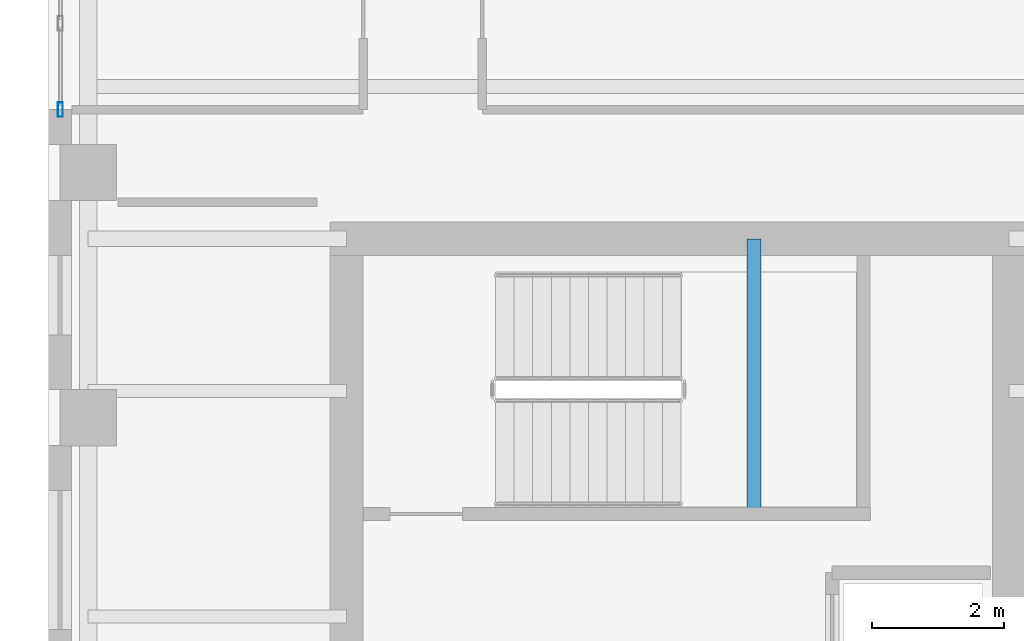
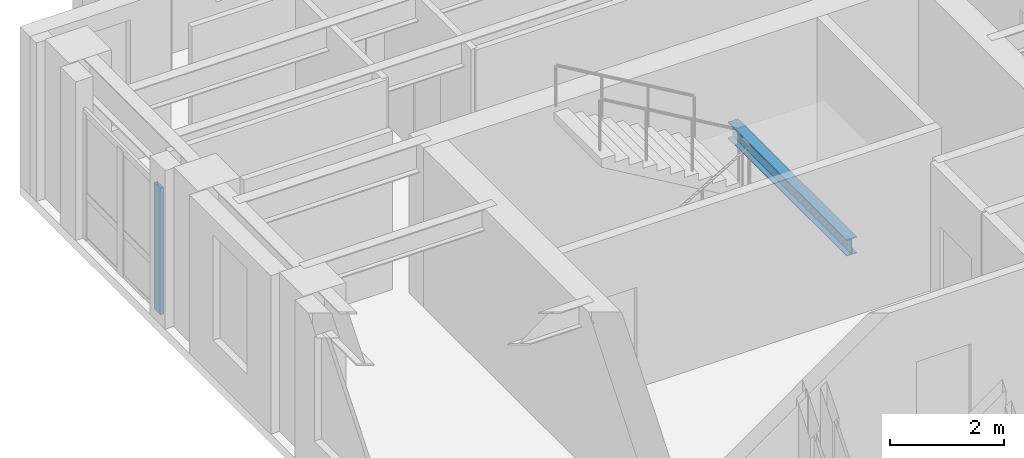
# One storey, part 2 of 11: 1 beam, 1 member, 1 element without a shape of its own.
"""IFC4 building model written with IfcOpenShell, lengths in metres."""

from ifc_helpers import new_model, si_unit, direction, frame, origin, origin_2d, place, context, subcontext, project, spatial, hollow_rectangle, i_section, extrude, source, transform, mapped, material, layer, layer_set, material_profile, profile_set, type_object, element, aggregate, save


model = new_model("IFC4")

# Units and contexts
model_context = context("Model", 3, precision=1e-05, world=origin(), true_north=direction((0.0, 1.0)))
body_context = subcontext(model_context, "Body", "Model", "MODEL_VIEW")
ifc_project = project(units=[si_unit("LENGTHUNIT", "METRE"), si_unit("AREAUNIT", "SQUARE_METRE"), si_unit("VOLUMEUNIT", "CUBIC_METRE"), si_unit("PLANEANGLEUNIT", "RADIAN"), si_unit("MASSUNIT", "GRAM", prefix="KILO")], contexts=[model_context])

# Site, building, storey
site_placement = place(None, origin())
site = spatial("IfcSite", under=ifc_project, at=site_placement, CompositionType="ELEMENT")
building_placement = place(site_placement, origin())
building = spatial("IfcBuilding", under=site, at=building_placement, Name="Kharzan Plaza Tower", CompositionType="ELEMENT")
storey_placement = place(building_placement, frame((0.0, 0.0, 262.800048828125)))
storey = spatial("IfcBuildingStorey", under=building, at=storey_placement, Name="L71", CompositionType="ELEMENT", Elevation=262.800048828125)

# Beam
ifc_material_1 = material(Name="Steel S355", Category="steel")
ifc_material_profile_1 = material_profile(ifc_material_1, i_section(OverallWidth=0.205078125, OverallDepth=0.35400390625, WebThickness=0.009521484375, FlangeThickness=0.016845703125, at=origin_2d()), Name="W360x79")
ifc_profile_set_1 = profile_set([ifc_material_profile_1], Name="Steel S355")
beam_type = type_object("IfcBeamType", Name="BM-LNT360", PredefinedType="LINTEL", material=ifc_profile_set_1)
shared_shape_1 = source(origin(), body_context, "Body", "SweptSolid", [
    extrude(i_section(OverallWidth=0.205078125, OverallDepth=0.35400390625, WebThickness=0.009521484375, FlangeThickness=0.016845703125, at=origin_2d()), origin(), (0.0, 0.0, 1.0), 4.155029296875),
])
beam_placement = place(storey_placement, frame((10.64990234375, 25.344970703125, 1.4228515625), z_axis=(0.0, 1.0, 0.0), x_axis=(-1.0, 0.0, 0.0)))
element("IfcBeam", 1, at=beam_placement, inside=storey, type_object=beam_type, Name="L71 Stair ST-2 Half-Landing Beam", PredefinedType="LINTEL", context=body_context, shape_type="MappedRepresentation", body=[
    mapped(shared_shape_1, transform((0.0, 0.0, 0.0), x_axis=(1.0, 0.0, 0.0), y_axis=(0.0, 1.0, 0.0), z_axis=(0.0, 0.0, 1.0))),
])

# Curtain wall, member
ifc_material_2 = material(Name="Unitised Bronze-Anodized Aluminium and Low-E Glass", Category="aluminium")
ifc_layer = layer(ifc_material_2, 0.199951171875)
ifc_layer_set = layer_set([ifc_layer], Name="Unitised Bronze-Anodized Aluminium and Low-E Glass")
curtain_wall_type = type_object("IfcCurtainWallType", Name="CW-EXEC-5", PredefinedType="NOTDEFINED", material=ifc_layer_set)
curtain_wall_placement = place(storey_placement, origin())
curtain_wall = element("IfcCurtainWall", 2, at=curtain_wall_placement, inside=storey, type_object=curtain_wall_type, Name="L71 Upper Executive Setback Panoramic Curtain Wall", PredefinedType="NOTDEFINED")
ifc_material_3 = material(Name="Anodized Bronze Aluminium", Category="aluminium")
ifc_material_profile_2 = material_profile(ifc_material_3, hollow_rectangle(XDim=0.074951171875, YDim=0.219970703125, WallThickness=0.00390625, at=origin_2d()), Name="ALU-M220x75x4")
ifc_profile_set_2 = profile_set([ifc_material_profile_2], Name="Anodized Bronze Aluminium")
member_type = type_object("IfcMemberType", Name="MEM-CW-MUL200", PredefinedType="MULLION", material=ifc_profile_set_2)
shared_shape_2 = source(origin(), body_context, "Body", "SweptSolid", [
    extrude(hollow_rectangle(XDim=0.074951171875, YDim=0.219970703125, WallThickness=0.00390625, at=origin_2d()), origin(), (0.0, 0.0, 1.0), 2.699951171875),
])
member_placement = place(storey_placement, frame((0.179931640625, 31.449951171875, 0.0), z_axis=(0.0, 0.0, 1.0), x_axis=(1.0, 0.0, 0.0)))
member = element("IfcMember", 3, at=member_placement, type_object=member_type, Name="L71 Curtain-Wall Mullion 00", PredefinedType="MULLION", context=body_context, shape_type="MappedRepresentation", body=[
    mapped(shared_shape_2, transform((0.0, 0.0, 0.0), x_axis=(1.0, 0.0, 0.0), y_axis=(0.0, 1.0, 0.0), z_axis=(0.0, 0.0, 1.0))),
])
aggregate(curtain_wall, [member])

save(model, "model.ifc")
